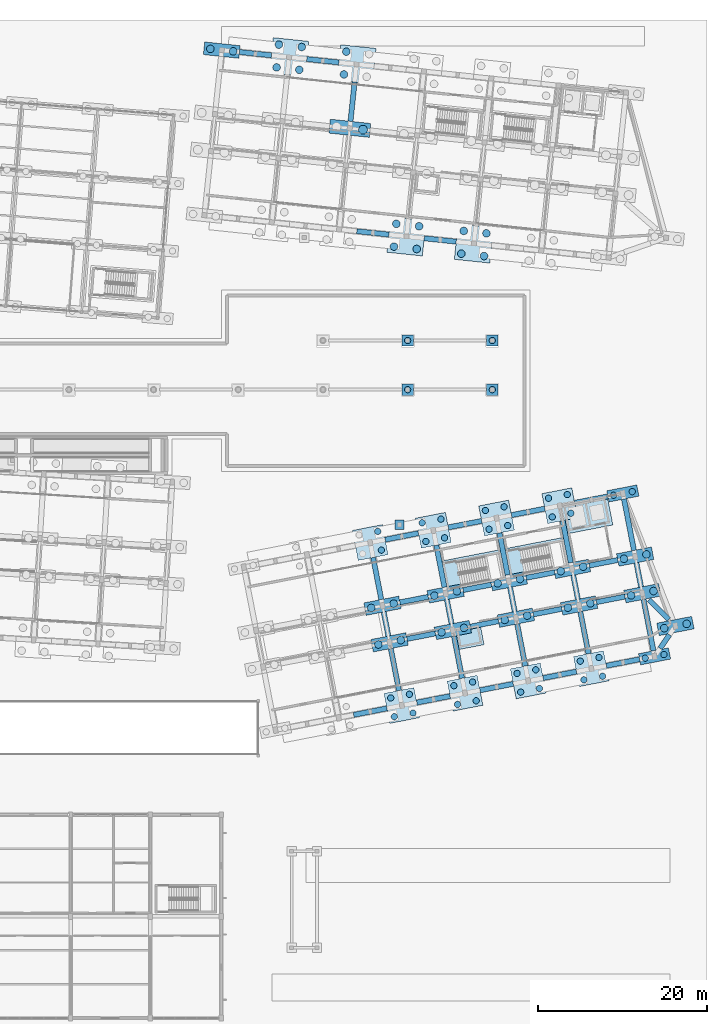
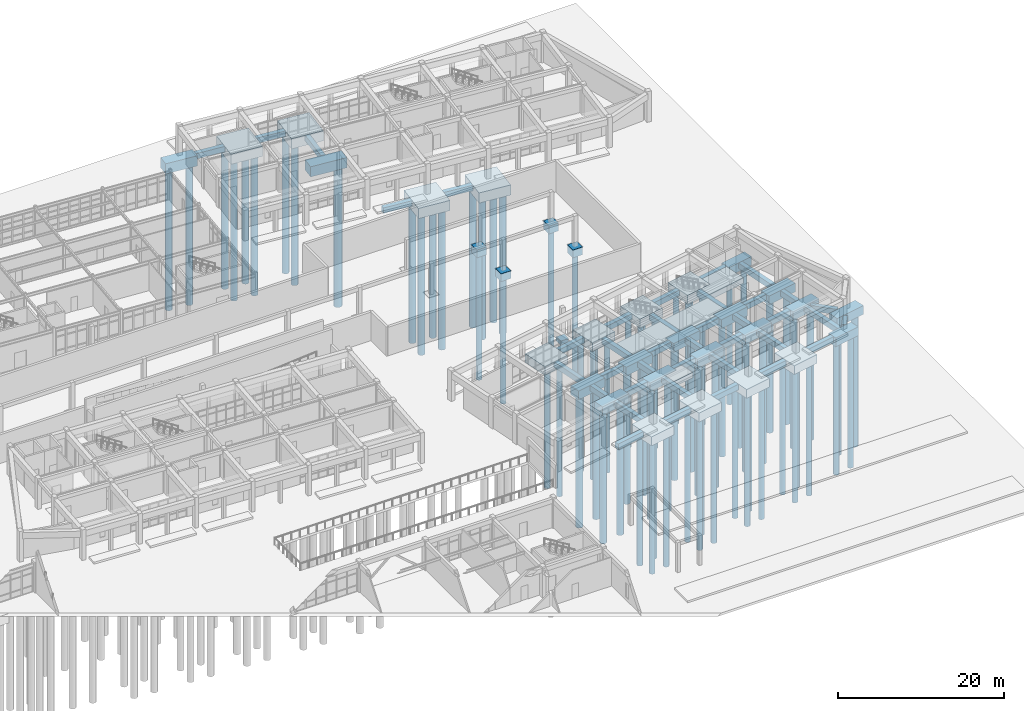
# One storey, part 5 of 154: 77 piles, 75 footings.
"""IFC4 building model written with IfcOpenShell, lengths in metres."""

from ifc_helpers import new_model, si_unit, direction, frame, origin, origin_2d, place, context, subcontext, project, spatial, rectangle, circle, extrude, material, material_profile, profile_set, type_object, element, save


model = new_model("IFC4")

# Units and contexts
model_context = context("Model", 3, precision=1e-05, world=origin(), true_north=direction((0.0, 1.0)))
body_context = subcontext(model_context, "Body", "Model", "MODEL_VIEW")
ifc_project = project(units=[si_unit("LENGTHUNIT", "METRE"), si_unit("AREAUNIT", "SQUARE_METRE"), si_unit("VOLUMEUNIT", "CUBIC_METRE"), si_unit("PLANEANGLEUNIT", "RADIAN"), si_unit("MASSUNIT", "GRAM", prefix="KILO")], contexts=[model_context])

# Site, building, storey
site_placement = place(None, origin())
site = spatial("IfcSite", under=ifc_project, at=site_placement, CompositionType="ELEMENT")
building_placement = place(site_placement, origin())
building = spatial("IfcBuilding", under=site, at=building_placement, Name="Kestramere Prow Commons", CompositionType="ELEMENT")
storey_placement = place(building_placement, origin())
storey = spatial("IfcBuildingStorey", under=building, at=storey_placement, Name="L00", CompositionType="ELEMENT", Elevation=0.0)

# Piles
ifc_material = material(Name="Concrete C35/45", Category="concrete")
ifc_material_profile_1 = material_profile(ifc_material, circle(Radius=0.52490234375, at=origin_2d()), Name="BORED PILE D1050")
ifc_profile_set_1 = profile_set([ifc_material_profile_1], Name="Concrete C35/45")
pile_type_1 = type_object("IfcPileType", Name="BP-1050 BORED PILE D1050", PredefinedType="BORED", material=ifc_profile_set_1)
pile_placement = place(storey_placement, frame((128.733154296875, 104.897216796875, -1.75), z_axis=(0.0, 0.0, -1.0), x_axis=(1.0, 0.0, 0.0)))
element("IfcPile", 1, at=pile_placement, inside=storey, type_object=pile_type_1, Name="Bored pile FC-B-2-2-P2", PredefinedType="BORED", context=body_context, shape_type="SweptSolid", body=[
    extrude(circle(Radius=0.52490234375, at=origin_2d()), origin(), (0.0, 0.0, 1.0), 20.60009765625),
])
ifc_material_profile_2 = material_profile(ifc_material, circle(Radius=0.375, at=origin_2d()), Name="BORED PILE D750")
ifc_profile_set_2 = profile_set([ifc_material_profile_2], Name="Concrete C35/45")
pile_type_2 = type_object("IfcPileType", Name="BP-750 BORED PILE D750", PredefinedType="BORED", material=ifc_profile_set_2)
for number, where, z_axis, x_axis, name in (
    (2, (132.43115234375, 35.581298828125, -1.550048828125), (0.0, 0.0, -1.0), (1.0, 0.0, 0.0), "Bored pile FC-D-2-0-P1"),
    (3, (134.6396484375, 36.0107421875, -1.550048828125), (0.0, 0.0, -1.0), (1.0, 0.0, 0.0), "Bored pile FC-D-2-0-P2"),
    (4, (132.001708984375, 37.7900390625, -1.550048828125), (0.0, 0.0, -1.0), (1.0, 0.0, 0.0), "Bored pile FC-D-2-0-P3"),
    (5, (134.21044921875, 38.21923828125, -1.550048828125), (0.0, 0.0, -1.0), (1.0, 0.0, 0.0), "Bored pile FC-D-2-0-P4"),
    (6, (130.89990234375, 55.25048828125, -1.550048828125), (0.0, 0.0, -1.0), (1.0, 0.0, 0.0), "Bored pile FC-D-2-3-P2"),
    (7, (130.470458984375, 57.459228515625, -1.550048828125), (0.0, 0.0, -1.0), (1.0, 0.0, 0.0), "Bored pile FC-D-2-3-P4"),
    (8, (139.891357421875, 37.031494140625, -1.550048828125), (0.0, 0.0, -1.0), (1.0, 0.0, 0.0), "Bored pile FC-D-3-0-P1"),
    (9, (142.10009765625, 37.460693359375, -1.550048828125), (0.0, 0.0, -1.0), (1.0, 0.0, 0.0), "Bored pile FC-D-3-0-P2"),
    (10, (139.462158203125, 39.240234375, -1.550048828125), (0.0, 0.0, -1.0), (1.0, 0.0, 0.0), "Bored pile FC-D-3-0-P3"),
    (11, (141.670654296875, 39.66943359375, -1.550048828125), (0.0, 0.0, -1.0), (1.0, 0.0, 0.0), "Bored pile FC-D-3-0-P4"),
    (12, (136.151611328125, 56.271240234375, -1.550048828125), (0.0, 0.0, -1.0), (1.0, 0.0, 0.0), "Bored pile FC-D-3-3-P1"),
    (13, (138.3603515625, 56.70068359375, -1.550048828125), (0.0, 0.0, -1.0), (1.0, 0.0, 0.0), "Bored pile FC-D-3-3-P2"),
    (14, (135.72216796875, 58.47998046875, -1.550048828125), (0.0, 0.0, -1.0), (1.0, 0.0, 0.0), "Bored pile FC-D-3-3-P3"),
    (15, (137.930908203125, 58.909423828125, -1.550048828125), (0.0, 0.0, -1.0), (1.0, 0.0, 0.0), "Bored pile FC-D-3-3-P4"),
    (16, (147.351806640625, 38.481689453125, -1.550048828125), (0.0, 0.0, -1.0), (1.0, 0.0, 0.0), "Bored pile FC-D-4-0-P1"),
    (17, (149.560546875, 38.910888671875, -1.550048828125), (0.0, 0.0, -1.0), (1.0, 0.0, 0.0), "Bored pile FC-D-4-0-P2"),
    (18, (146.92236328125, 40.690185546875, -1.550048828125), (0.0, 0.0, -1.0), (1.0, 0.0, 0.0), "Bored pile FC-D-4-0-P3"),
    (19, (149.131103515625, 41.11962890625, -1.550048828125), (0.0, 0.0, -1.0), (1.0, 0.0, 0.0), "Bored pile FC-D-4-0-P4"),
    (20, (143.612060546875, 57.721435546875, -1.550048828125), (0.0, 0.0, -1.0), (1.0, 0.0, 0.0), "Bored pile FC-D-4-3-P1"),
    (21, (145.820556640625, 58.15087890625, -1.550048828125), (0.0, 0.0, -1.0), (1.0, 0.0, 0.0), "Bored pile FC-D-4-3-P2"),
    (22, (143.1826171875, 59.93017578125, -1.550048828125), (0.0, 0.0, -1.0), (1.0, 0.0, 0.0), "Bored pile FC-D-4-3-P3"),
    (23, (145.391357421875, 60.359375, -1.550048828125), (0.0, 0.0, -1.0), (1.0, 0.0, 0.0), "Bored pile FC-D-4-3-P4"),
    (24, (154.812255859375, 39.931640625, -1.550048828125), (0.0, 0.0, -1.0), (1.0, 0.0, 0.0), "Bored pile FC-D-5-0-P1"),
    (25, (157.020751953125, 40.361083984375, -1.550048828125), (0.0, 0.0, -1.0), (1.0, 0.0, 0.0), "Bored pile FC-D-5-0-P2"),
    (26, (154.3828125, 42.140380859375, -1.550048828125), (0.0, 0.0, -1.0), (1.0, 0.0, 0.0), "Bored pile FC-D-5-0-P3"),
    (27, (156.591552734375, 42.56982421875, -1.550048828125), (0.0, 0.0, -1.0), (1.0, 0.0, 0.0), "Bored pile FC-D-5-0-P4"),
    (28, (151.072265625, 59.171630859375, -1.550048828125), (0.0, 0.0, -1.0), (1.0, 0.0, 0.0), "Bored pile FC-D-5-3-P1"),
    (29, (153.281005859375, 59.60107421875, -1.550048828125), (0.0, 0.0, -1.0), (1.0, 0.0, 0.0), "Bored pile FC-D-5-3-P2"),
    (30, (150.64306640625, 61.38037109375, -1.550048828125), (0.0, 0.0, -1.0), (1.0, 0.0, 0.0), "Bored pile FC-D-5-3-P3"),
    (31, (152.8515625, 61.8095703125, -1.550048828125), (0.0, 0.0, -1.0), (1.0, 0.0, 0.0), "Bored pile FC-D-5-3-P4"),
    (32, (162.057861328125, 42.486328125, -1.550048828125), (0.0, 0.0, -1.0), (1.0, 0.0, 0.0), "Bored pile FC-D-6-0-P1"),
    (33, (164.2666015625, 42.91552734375, -1.550048828125), (0.0, 0.0, -1.0), (1.0, 0.0, 0.0), "Bored pile FC-D-6-0-P2"),
    (34, (158.318115234375, 61.72607421875, -1.550048828125), (0.0, 0.0, -1.0), (1.0, 0.0, 0.0), "Bored pile FC-D-6-3-P1"),
    (35, (160.526611328125, 62.155517578125, -1.550048828125), (0.0, 0.0, -1.0), (1.0, 0.0, 0.0), "Bored pile FC-D-6-3-P2"),
):
    element("IfcPile", number, at=place(storey_placement, frame(where, z_axis=z_axis, x_axis=x_axis)), inside=storey, type_object=pile_type_2, Name=name, PredefinedType="BORED", context=body_context, shape_type="SweptSolid", body=[
        extrude(circle(Radius=0.375, at=origin_2d()), origin(), (0.0, 0.0, 1.0), 19.39990234375),
    ])
for number, where, z_axis, x_axis, name in (
    (36, (134.0, 74.199951171875, -1.39990234375), (0.0, 0.0, -1.0), (1.0, 0.0, 0.0), "Bored pile FC-CRT-134-74-P1"),
    (37, (144.0, 74.199951171875, -1.39990234375), (0.0, 0.0, -1.0), (1.0, 0.0, 0.0), "Bored pile FC-CRT-144-74-P1"),
    (38, (134.0, 80.0, -1.39990234375), (0.0, 0.0, -1.0), (1.0, 0.0, 0.0), "Bored pile FC-CRT-134-80-P1"),
    (39, (144.0, 80.0, -1.39990234375), (0.0, 0.0, -1.0), (1.0, 0.0, 0.0), "Bored pile FC-CRT-144-80-P1"),
):
    element("IfcPile", number, at=place(storey_placement, frame(where, z_axis=z_axis, x_axis=x_axis)), inside=storey, type_object=pile_type_2, Name=name, PredefinedType="BORED", context=body_context, shape_type="SweptSolid", body=[
        extrude(circle(Radius=0.375, at=origin_2d()), origin(), (0.0, 0.0, 1.0), 18.5),
    ])
ifc_material_profile_3 = material_profile(ifc_material, circle(Radius=0.449951171875, at=origin_2d()), Name="BORED PILE D900")
ifc_profile_set_3 = profile_set([ifc_material_profile_3], Name="Concrete C35/45")
pile_type_3 = type_object("IfcPileType", Name="BP-900 BORED PILE D900", PredefinedType="BORED", material=ifc_profile_set_3)
for number, where, z_axis, x_axis, name in (
    (40, (110.7060546875, 114.433837890625, -1.75), (0.0, 0.0, -1.0), (1.0, 0.0, 0.0), "Bored pile FC-B-0-3-P1"),
    (41, (113.391357421875, 114.151611328125, -1.75), (0.0, 0.0, -1.0), (1.0, 0.0, 0.0), "Bored pile FC-B-0-3-P2"),
    (42, (118.521240234375, 112.2548828125, -1.75), (0.0, 0.0, -1.0), (1.0, 0.0, 0.0), "Bored pile FC-B-1-3-P1"),
    (43, (121.20654296875, 111.97265625, -1.75), (0.0, 0.0, -1.0), (1.0, 0.0, 0.0), "Bored pile FC-B-1-3-P2"),
    (44, (118.803466796875, 114.940185546875, -1.75), (0.0, 0.0, -1.0), (1.0, 0.0, 0.0), "Bored pile FC-B-1-3-P3"),
    (45, (121.48876953125, 114.657958984375, -1.75), (0.0, 0.0, -1.0), (1.0, 0.0, 0.0), "Bored pile FC-B-1-3-P4"),
    (46, (126.477294921875, 111.418701171875, -1.75), (0.0, 0.0, -1.0), (1.0, 0.0, 0.0), "Bored pile FC-B-2-3-P1"),
    (47, (126.759521484375, 114.10400390625, -1.75), (0.0, 0.0, -1.0), (1.0, 0.0, 0.0), "Bored pile FC-B-2-3-P3"),
    (48, (132.384765625, 91.08984375, -1.75), (0.0, 0.0, -1.0), (1.0, 0.0, 0.0), "Bored pile FC-B-3-0-P1"),
    (49, (135.070068359375, 90.8076171875, -1.75), (0.0, 0.0, -1.0), (1.0, 0.0, 0.0), "Bored pile FC-B-3-0-P2"),
    (50, (132.6669921875, 93.775146484375, -1.75), (0.0, 0.0, -1.0), (1.0, 0.0, 0.0), "Bored pile FC-B-3-0-P3"),
    (51, (135.352294921875, 93.492919921875, -1.75), (0.0, 0.0, -1.0), (1.0, 0.0, 0.0), "Bored pile FC-B-3-0-P4"),
    (52, (140.341064453125, 90.253662109375, -1.75), (0.0, 0.0, -1.0), (1.0, 0.0, 0.0), "Bored pile FC-B-4-0-P1"),
    (53, (143.026123046875, 89.971435546875, -1.75), (0.0, 0.0, -1.0), (1.0, 0.0, 0.0), "Bored pile FC-B-4-0-P2"),
    (54, (140.623291015625, 92.938720703125, -1.75), (0.0, 0.0, -1.0), (1.0, 0.0, 0.0), "Bored pile FC-B-4-0-P3"),
    (55, (143.308349609375, 92.656494140625, -1.75), (0.0, 0.0, -1.0), (1.0, 0.0, 0.0), "Bored pile FC-B-4-0-P4"),
):
    element("IfcPile", number, at=place(storey_placement, frame(where, z_axis=z_axis, x_axis=x_axis)), inside=storey, type_object=pile_type_3, Name=name, PredefinedType="BORED", context=body_context, shape_type="SweptSolid", body=[
        extrude(circle(Radius=0.449951171875, at=origin_2d()), origin(), (0.0, 0.0, 1.0), 20.60009765625),
    ])
for number, where, z_axis, x_axis, name in (
    (56, (130.54541015625, 44.10302734375, -1.550048828125), (0.0, 0.0, -1.0), (1.0, 0.0, 0.0), "Bored pile FC-D-2-1-P1"),
    (57, (133.19580078125, 44.6181640625, -1.550048828125), (0.0, 0.0, -1.0), (1.0, 0.0, 0.0), "Bored pile FC-D-2-1-P2"),
    (58, (129.705810546875, 48.422119140625, -1.550048828125), (0.0, 0.0, -1.0), (1.0, 0.0, 0.0), "Bored pile FC-D-2-2-P1"),
    (59, (132.356201171875, 48.9375, -1.550048828125), (0.0, 0.0, -1.0), (1.0, 0.0, 0.0), "Bored pile FC-D-2-2-P2"),
    (60, (138.005859375, 45.55322265625, -1.550048828125), (0.0, 0.0, -1.0), (1.0, 0.0, 0.0), "Bored pile FC-D-3-1-P1"),
    (61, (140.65625, 46.068359375, -1.550048828125), (0.0, 0.0, -1.0), (1.0, 0.0, 0.0), "Bored pile FC-D-3-1-P2"),
    (62, (137.166259765625, 49.872314453125, -1.550048828125), (0.0, 0.0, -1.0), (1.0, 0.0, 0.0), "Bored pile FC-D-3-2-P1"),
    (63, (139.816650390625, 50.387451171875, -1.550048828125), (0.0, 0.0, -1.0), (1.0, 0.0, 0.0), "Bored pile FC-D-3-2-P2"),
    (64, (145.466064453125, 47.00341796875, -1.550048828125), (0.0, 0.0, -1.0), (1.0, 0.0, 0.0), "Bored pile FC-D-4-1-P1"),
    (65, (148.116455078125, 47.5185546875, -1.550048828125), (0.0, 0.0, -1.0), (1.0, 0.0, 0.0), "Bored pile FC-D-4-1-P2"),
    (66, (144.62646484375, 51.322509765625, -1.550048828125), (0.0, 0.0, -1.0), (1.0, 0.0, 0.0), "Bored pile FC-D-4-2-P1"),
    (67, (147.27685546875, 51.837646484375, -1.550048828125), (0.0, 0.0, -1.0), (1.0, 0.0, 0.0), "Bored pile FC-D-4-2-P2"),
    (68, (152.926513671875, 48.45361328125, -1.550048828125), (0.0, 0.0, -1.0), (1.0, 0.0, 0.0), "Bored pile FC-D-5-1-P1"),
    (69, (155.576904296875, 48.96875, -1.550048828125), (0.0, 0.0, -1.0), (1.0, 0.0, 0.0), "Bored pile FC-D-5-1-P2"),
    (70, (152.0869140625, 52.772705078125, -1.550048828125), (0.0, 0.0, -1.0), (1.0, 0.0, 0.0), "Bored pile FC-D-5-2-P1"),
    (71, (154.7373046875, 53.287841796875, -1.550048828125), (0.0, 0.0, -1.0), (1.0, 0.0, 0.0), "Bored pile FC-D-5-2-P2"),
    (72, (160.386962890625, 49.903564453125, -1.550048828125), (0.0, 0.0, -1.0), (1.0, 0.0, 0.0), "Bored pile FC-D-6-1-P1"),
    (73, (163.037353515625, 50.4189453125, -1.550048828125), (0.0, 0.0, -1.0), (1.0, 0.0, 0.0), "Bored pile FC-D-6-1-P2"),
    (74, (159.54736328125, 54.222900390625, -1.550048828125), (0.0, 0.0, -1.0), (1.0, 0.0, 0.0), "Bored pile FC-D-6-2-P1"),
    (75, (162.19775390625, 54.738037109375, -1.550048828125), (0.0, 0.0, -1.0), (1.0, 0.0, 0.0), "Bored pile FC-D-6-2-P2"),
    (76, (164.298095703125, 46.02880859375, -1.550048828125), (0.0, 0.0, -1.0), (1.0, 0.0, 0.0), "Bored pile FC-D-PROW-P1"),
    (77, (166.948486328125, 46.5439453125, -1.550048828125), (0.0, 0.0, -1.0), (1.0, 0.0, 0.0), "Bored pile FC-D-PROW-P2"),
):
    element("IfcPile", number, at=place(storey_placement, frame(where, z_axis=z_axis, x_axis=x_axis)), inside=storey, type_object=pile_type_3, Name=name, PredefinedType="BORED", context=body_context, shape_type="SweptSolid", body=[
        extrude(circle(Radius=0.449951171875, at=origin_2d()), origin(), (0.0, 0.0, 1.0), 19.39990234375),
    ])

# Footings
footing_type_1 = type_object("IfcFootingType", Name="FT-BRIDGE-PAD", PredefinedType="PAD_FOOTING", material=ifc_material)
footing_1_placement = place(storey_placement, frame((133.0439453125, 58.239501953125, -1.0), z_axis=(0.0, 0.0, 1.0), x_axis=(1.0, 0.0, 0.0)))
element("IfcFooting", 78, at=footing_1_placement, inside=storey, type_object=footing_type_1, Name="Courtyard Bridge Pad Footing D", PredefinedType="PAD_FOOTING", context=body_context, shape_type="SweptSolid", body=[
    extrude(rectangle(XDim=1.10009765625, YDim=1.10009765625, at=origin_2d()), origin(), (0.0, 0.0, 1.0), 0.64990234375),
])
footing_type_2 = type_object("IfcFootingType", Name="FT-CORE-STRIP", PredefinedType="STRIP_FOOTING", material=ifc_material)
footing_2_placement = place(storey_placement, frame((155.143310546875, 59.45361328125, -1.14990234375), z_axis=(0.0, 0.0, 1.0), x_axis=(0.981627183448, 0.190808995377, 0.0)))
element("IfcFooting", 79, at=footing_2_placement, inside=storey, type_object=footing_type_2, Name="Block D Lift Core Mat Footing", PredefinedType="STRIP_FOOTING", context=body_context, shape_type="SweptSolid", body=[
    extrude(rectangle(XDim=5.60009765625, YDim=3.60009765625, at=origin_2d()), origin(), (0.0, 0.0, 1.0), 0.800048828125),
])
for number, where, z_axis, x_axis, name in (
    (80, (141.8447265625, 52.793701171875, -1.14990234375), (0.0, 0.0, 1.0), (0.981627183448, 0.190808995377, 0.0), "ST-D1 Stair Core Raft Footing"),
    (81, (149.30517578125, 54.243896484375, -1.14990234375), (0.0, 0.0, 1.0), (0.981627183448, 0.190808995377, 0.0), "ST-D2 Stair Core Raft Footing"),
):
    element("IfcFooting", number, at=place(storey_placement, frame(where, z_axis=z_axis, x_axis=x_axis)), inside=storey, type_object=footing_type_2, Name=name, PredefinedType="STRIP_FOOTING", context=body_context, shape_type="SweptSolid", body=[
        extrude(rectangle(XDim=7.39990234375, YDim=3.75, at=origin_2d()), origin(), (0.0, 0.0, 1.0), 0.800048828125),
    ])
footing_3_placement = place(storey_placement, frame((141.2587890625, 45.06494140625, -1.14990234375), z_axis=(0.0, 0.0, 1.0), x_axis=(0.981627183448, 0.190808995377, 0.0)))
element("IfcFooting", 82, at=footing_3_placement, inside=storey, type_object=footing_type_2, Name="Block D Household Shelter Footing", PredefinedType="STRIP_FOOTING", context=body_context, shape_type="SweptSolid", body=[
    extrude(rectangle(XDim=3.10009765625, YDim=2.60009765625, at=origin_2d()), origin(), (0.0, 0.0, 1.0), 0.800048828125),
])
footing_type_3 = type_object("IfcFootingType", Name="GB-03 600x800 L4000", PredefinedType="FOOTING_BEAM", material=ifc_material)
for number, where, z_axis, x_axis, name in (
    (83, (129.590576171875, 36.17529296875, -1.14990234375), (0.0, 0.0, 1.0), (0.981627183448, 0.190808995377, 0.0), "Foundation ground beam GBU-D-1-0"),
    (84, (137.051025390625, 37.62548828125, -1.14990234375), (0.0, 0.0, 1.0), (0.981627183448, 0.190808995377, 0.0), "Foundation ground beam GBU-D-2-0"),
    (85, (133.31103515625, 56.865234375, -1.14990234375), (0.0, 0.0, 1.0), (0.981627183448, 0.190808995377, 0.0), "Foundation ground beam GBU-D-2-3"),
    (86, (144.51123046875, 39.075439453125, -1.14990234375), (0.0, 0.0, 1.0), (0.981627183448, 0.190808995377, 0.0), "Foundation ground beam GBU-D-3-0"),
    (87, (140.771484375, 58.3154296875, -1.14990234375), (0.0, 0.0, 1.0), (0.981627183448, 0.190808995377, 0.0), "Foundation ground beam GBU-D-3-3"),
    (88, (151.9716796875, 40.525634765625, -1.14990234375), (0.0, 0.0, 1.0), (0.981627183448, 0.190808995377, 0.0), "Foundation ground beam GBU-D-4-0"),
    (89, (148.231689453125, 59.765625, -1.14990234375), (0.0, 0.0, 1.0), (0.981627183448, 0.190808995377, 0.0), "Foundation ground beam GBU-D-4-3"),
    (90, (159.43212890625, 41.975830078125, -1.14990234375), (0.0, 0.0, 1.0), (0.981627183448, 0.190808995377, 0.0), "Foundation ground beam GBU-D-5-0"),
    (91, (155.692138671875, 61.2158203125, -1.14990234375), (0.0, 0.0, 1.0), (0.981627183448, 0.190808995377, 0.0), "Foundation ground beam GBU-D-5-3"),
):
    element("IfcFooting", number, at=place(storey_placement, frame(where, z_axis=z_axis, x_axis=x_axis)), inside=storey, type_object=footing_type_3, Name=name, PredefinedType="FOOTING_BEAM", context=body_context, shape_type="SweptSolid", body=[
        extrude(rectangle(XDim=4.0, YDim=0.60009765625, at=origin_2d()), origin(), (0.0, 0.0, 1.0), 0.800048828125),
    ])
footing_type_4 = type_object("IfcFootingType", Name="GB-04 600x800 L3400", PredefinedType="FOOTING_BEAM", material=ifc_material)
for number, where, z_axis, x_axis, name in (
    (92, (135.600830078125, 45.085693359375, -1.14990234375), (0.0, 0.0, 1.0), (0.981627183448, 0.190808995377, 0.0), "Foundation ground beam GBU-D-2-1"),
    (93, (134.76123046875, 49.40478515625, -1.14990234375), (0.0, 0.0, 1.0), (0.981627183448, 0.190808995377, 0.0), "Foundation ground beam GBU-D-2-2"),
    (94, (143.06103515625, 46.535888671875, -1.14990234375), (0.0, 0.0, 1.0), (0.981627183448, 0.190808995377, 0.0), "Foundation ground beam GBU-D-3-1"),
    (95, (142.2216796875, 50.85498046875, -1.14990234375), (0.0, 0.0, 1.0), (0.981627183448, 0.190808995377, 0.0), "Foundation ground beam GBU-D-3-2"),
    (96, (150.521484375, 47.986083984375, -1.14990234375), (0.0, 0.0, 1.0), (0.981627183448, 0.190808995377, 0.0), "Foundation ground beam GBU-D-4-1"),
    (97, (149.681884765625, 52.30517578125, -1.14990234375), (0.0, 0.0, 1.0), (0.981627183448, 0.190808995377, 0.0), "Foundation ground beam GBU-D-4-2"),
    (98, (157.98193359375, 49.436279296875, -1.14990234375), (0.0, 0.0, 1.0), (0.981627183448, 0.190808995377, 0.0), "Foundation ground beam GBU-D-5-1"),
    (99, (157.142333984375, 53.75537109375, -1.14990234375), (0.0, 0.0, 1.0), (0.981627183448, 0.190808995377, 0.0), "Foundation ground beam GBU-D-5-2"),
):
    element("IfcFooting", number, at=place(storey_placement, frame(where, z_axis=z_axis, x_axis=x_axis)), inside=storey, type_object=footing_type_4, Name=name, PredefinedType="FOOTING_BEAM", context=body_context, shape_type="SweptSolid", body=[
        extrude(rectangle(XDim=3.39990234375, YDim=0.60009765625, at=origin_2d()), origin(), (0.0, 0.0, 1.0), 0.800048828125),
    ])
footing_type_5 = type_object("IfcFootingType", Name="GB-10 600x800 L3800", PredefinedType="FOOTING_BEAM", material=ifc_material)
for number, where, z_axis, x_axis, name in (
    (100, (116.02685546875, 113.87451171875, -1.14990234375), (0.0, 0.0, 1.0), (0.994521895368, -0.104528463268, 0.0), "Foundation ground beam GBU-B-0-3"),
    (101, (123.98291015625, 113.038330078125, -1.14990234375), (0.0, 0.0, 1.0), (0.994521895368, -0.104528463268, 0.0), "Foundation ground beam GBU-B-1-3"),
    (102, (129.890380859375, 92.70947265625, -1.14990234375), (0.0, 0.0, 1.0), (0.994521895368, -0.104528463268, 0.0), "Foundation ground beam GBU-B-2-0"),
    (103, (137.8466796875, 91.873291015625, -1.14990234375), (0.0, 0.0, 1.0), (0.994521895368, -0.104528463268, 0.0), "Foundation ground beam GBU-B-3-0"),
):
    element("IfcFooting", number, at=place(storey_placement, frame(where, z_axis=z_axis, x_axis=x_axis)), inside=storey, type_object=footing_type_5, Name=name, PredefinedType="FOOTING_BEAM", context=body_context, shape_type="SweptSolid", body=[
        extrude(rectangle(XDim=3.800048828125, YDim=0.60009765625, at=origin_2d()), origin(), (0.0, 0.0, 1.0), 0.800048828125),
    ])
footing_type_6 = type_object("IfcFootingType", Name="GB-14 600x800 L4670", PredefinedType="FOOTING_BEAM", material=ifc_material)
footing_4_placement = place(storey_placement, frame((127.497314453125, 108.20703125, -1.14990234375), z_axis=(0.0, 0.0, 1.0), x_axis=(0.104528463268, 0.994521895368, 0.0)))
element("IfcFooting", 104, at=footing_4_placement, inside=storey, type_object=footing_type_6, Name="Foundation ground beam GBV-B-2-2", PredefinedType="FOOTING_BEAM", context=body_context, shape_type="SweptSolid", body=[
    extrude(rectangle(XDim=4.675048828125, YDim=0.60009765625, at=origin_2d()), origin(), (0.0, 0.0, 1.0), 0.800048828125),
])
footing_type_7 = type_object("IfcFootingType", Name="GB-18 600x800 L2900", PredefinedType="FOOTING_BEAM", material=ifc_material)
for number, where, z_axis, x_axis, name in (
    (105, (131.45068359375, 46.520263671875, -1.14990234375), (0.0, 0.0, 1.0), (-0.190808995377, 0.981627183448, 0.0), "Foundation ground beam GBV-D-2-1"),
    (106, (138.9111328125, 47.970458984375, -1.14990234375), (0.0, 0.0, 1.0), (-0.190808995377, 0.981627183448, 0.0), "Foundation ground beam GBV-D-3-1"),
    (107, (146.37158203125, 49.420654296875, -1.14990234375), (0.0, 0.0, 1.0), (-0.190808995377, 0.981627183448, 0.0), "Foundation ground beam GBV-D-4-1"),
    (108, (153.831787109375, 50.87060546875, -1.14990234375), (0.0, 0.0, 1.0), (-0.190808995377, 0.981627183448, 0.0), "Foundation ground beam GBV-D-5-1"),
    (109, (161.292236328125, 52.32080078125, -1.14990234375), (0.0, 0.0, 1.0), (-0.190808995377, 0.981627183448, 0.0), "Foundation ground beam GBV-D-6-1"),
):
    element("IfcFooting", number, at=place(storey_placement, frame(where, z_axis=z_axis, x_axis=x_axis)), inside=storey, type_object=footing_type_7, Name=name, PredefinedType="FOOTING_BEAM", context=body_context, shape_type="SweptSolid", body=[
        extrude(rectangle(XDim=2.89990234375, YDim=0.60009765625, at=origin_2d()), origin(), (0.0, 0.0, 1.0), 0.800048828125),
    ])
footing_type_8 = type_object("IfcFootingType", Name="GB-20 600x800 L1960", PredefinedType="FOOTING_BEAM", material=ifc_material)
footing_5_placement = place(storey_placement, frame((164.362548828125, 44.449462890625, -1.14990234375), z_axis=(0.0, 0.0, 1.0), x_axis=(-0.565914212983, -0.824464131145, 0.0)))
element("IfcFooting", 110, at=footing_5_placement, inside=storey, type_object=footing_type_8, Name="Foundation ground beam GBP-D-0", PredefinedType="FOOTING_BEAM", context=body_context, shape_type="SweptSolid", body=[
    extrude(rectangle(XDim=1.95703125, YDim=0.60009765625, at=origin_2d()), origin(), (0.0, 0.0, 1.0), 0.800048828125),
])
footing_type_9 = type_object("IfcFootingType", Name="GB-21 600x800 L3330", PredefinedType="FOOTING_BEAM", material=ifc_material)
footing_6_placement = place(storey_placement, frame((163.667724609375, 48.223876953125, -1.14990234375), z_axis=(0.0, 0.0, 1.0), x_axis=(-0.710397914833, 0.703800257602, 0.0)))
element("IfcFooting", 111, at=footing_6_placement, inside=storey, type_object=footing_type_9, Name="Foundation ground beam GBP-D-1", PredefinedType="FOOTING_BEAM", context=body_context, shape_type="SweptSolid", body=[
    extrude(rectangle(XDim=3.33056640625, YDim=0.60009765625, at=origin_2d()), origin(), (0.0, 0.0, 1.0), 0.800048828125),
])
footing_type_10 = type_object("IfcFootingType", Name="GB-22 600x800 L6170", PredefinedType="FOOTING_BEAM", material=ifc_material)
for number, where, z_axis, x_axis, name in (
    (112, (162.4443359375, 46.394287109375, -1.14990234375), (0.0, 0.0, 1.0), (-0.190808995377, 0.981627183448, 0.0), "Foundation ground beam GBV-D-6-0"),
    (113, (160.140380859375, 58.247314453125, -1.14990234375), (0.0, 0.0, 1.0), (-0.190808995377, 0.981627183448, 0.0), "Foundation ground beam GBV-D-6-2"),
):
    element("IfcFooting", number, at=place(storey_placement, frame(where, z_axis=z_axis, x_axis=x_axis)), inside=storey, type_object=footing_type_10, Name=name, PredefinedType="FOOTING_BEAM", context=body_context, shape_type="SweptSolid", body=[
        extrude(rectangle(XDim=6.175048828125, YDim=0.60009765625, at=origin_2d()), origin(), (0.0, 0.0, 1.0), 0.800048828125),
    ])
footing_type_11 = type_object("IfcFootingType", Name="GB-23 600x800 L5050", PredefinedType="FOOTING_BEAM", material=ifc_material)
for number, where, z_axis, x_axis, name in (
    (114, (132.49560546875, 41.145751953125, -1.14990234375), (0.0, 0.0, 1.0), (-0.190808995377, 0.981627183448, 0.0), "Foundation ground beam GBV-D-2-0"),
    (115, (130.406005859375, 51.89453125, -1.14990234375), (0.0, 0.0, 1.0), (-0.190808995377, 0.981627183448, 0.0), "Foundation ground beam GBV-D-2-2"),
    (116, (139.955810546875, 42.595947265625, -1.14990234375), (0.0, 0.0, 1.0), (-0.190808995377, 0.981627183448, 0.0), "Foundation ground beam GBV-D-3-0"),
    (117, (137.866455078125, 53.3447265625, -1.14990234375), (0.0, 0.0, 1.0), (-0.190808995377, 0.981627183448, 0.0), "Foundation ground beam GBV-D-3-2"),
    (118, (147.416259765625, 44.046142578125, -1.14990234375), (0.0, 0.0, 1.0), (-0.190808995377, 0.981627183448, 0.0), "Foundation ground beam GBV-D-4-0"),
    (119, (145.326904296875, 54.794921875, -1.14990234375), (0.0, 0.0, 1.0), (-0.190808995377, 0.981627183448, 0.0), "Foundation ground beam GBV-D-4-2"),
    (120, (154.87646484375, 45.496337890625, -1.14990234375), (0.0, 0.0, 1.0), (-0.190808995377, 0.981627183448, 0.0), "Foundation ground beam GBV-D-5-0"),
    (121, (152.787109375, 56.2451171875, -1.14990234375), (0.0, 0.0, 1.0), (-0.190808995377, 0.981627183448, 0.0), "Foundation ground beam GBV-D-5-2"),
):
    element("IfcFooting", number, at=place(storey_placement, frame(where, z_axis=z_axis, x_axis=x_axis)), inside=storey, type_object=footing_type_11, Name=name, PredefinedType="FOOTING_BEAM", context=body_context, shape_type="SweptSolid", body=[
        extrude(rectangle(XDim=5.050048828125, YDim=0.60009765625, at=origin_2d()), origin(), (0.0, 0.0, 1.0), 0.800048828125),
    ])
footing_type_12 = type_object("IfcFootingType", Name="PC-04 4200x1500x1500", PredefinedType="PILE_CAP", material=ifc_material)
footing_7_placement = place(storey_placement, frame((112.048828125, 114.292724609375, -1.85009765625), z_axis=(0.0, 0.0, 1.0), x_axis=(0.994521895368, -0.104528463268, 0.0)))
element("IfcFooting", 122, at=footing_7_placement, inside=storey, type_object=footing_type_12, Name="Pile cap FC-B-0-3", PredefinedType="PILE_CAP", context=body_context, shape_type="SweptSolid", body=[
    extrude(rectangle(XDim=4.199951171875, YDim=1.5, at=origin_2d()), origin(), (0.0, 0.0, 1.0), 1.5),
])
footing_type_13 = type_object("IfcFootingType", Name="PC-05 4800x1650x1500", PredefinedType="PILE_CAP", material=ifc_material)
footing_8_placement = place(storey_placement, frame((127.166748046875, 105.061767578125, -1.85009765625), z_axis=(0.0, 0.0, 1.0), x_axis=(0.994521895368, -0.104528463268, 0.0)))
element("IfcFooting", 123, at=footing_8_placement, inside=storey, type_object=footing_type_13, Name="Pile cap FC-B-2-2", PredefinedType="PILE_CAP", context=body_context, shape_type="SweptSolid", body=[
    extrude(rectangle(XDim=4.800048828125, YDim=1.64990234375, at=origin_2d()), origin(), (0.0, 0.0, 1.0), 1.5),
])
footing_type_14 = type_object("IfcFootingType", Name="PC-06 4200x4200x1500", PredefinedType="PILE_CAP", material=ifc_material)
for number, where, z_axis, x_axis, name in (
    (124, (120.0048828125, 113.456298828125, -1.85009765625), (0.0, 0.0, 1.0), (0.994521895368, -0.104528463268, 0.0), "Pile cap FC-B-1-3"),
    (125, (127.961181640625, 112.6201171875, -1.85009765625), (0.0, 0.0, 1.0), (0.994521895368, -0.104528463268, 0.0), "Pile cap FC-B-2-3"),
    (126, (133.868408203125, 92.291259765625, -1.85009765625), (0.0, 0.0, 1.0), (0.994521895368, -0.104528463268, 0.0), "Pile cap FC-B-3-0"),
    (127, (141.82470703125, 91.455078125, -1.85009765625), (0.0, 0.0, 1.0), (0.994521895368, -0.104528463268, 0.0), "Pile cap FC-B-4-0"),
):
    element("IfcFooting", number, at=place(storey_placement, frame(where, z_axis=z_axis, x_axis=x_axis)), inside=storey, type_object=footing_type_14, Name=name, PredefinedType="PILE_CAP", context=body_context, shape_type="SweptSolid", body=[
        extrude(rectangle(XDim=4.199951171875, YDim=4.199951171875, at=origin_2d()), origin(), (0.0, 0.0, 1.0), 1.5),
    ])
footing_type_15 = type_object("IfcFootingType", Name="PC-09 3600x1350x1300", PredefinedType="PILE_CAP", material=ifc_material)
for number, where, z_axis, x_axis, name in (
    (128, (163.162109375, 42.700927734375, -1.64990234375), (0.0, 0.0, 1.0), (0.981627183448, 0.190808995377, 0.0), "Pile cap FC-D-6-0"),
    (129, (159.42236328125, 61.940673828125, -1.64990234375), (0.0, 0.0, 1.0), (0.981627183448, 0.190808995377, 0.0), "Pile cap FC-D-6-3"),
):
    element("IfcFooting", number, at=place(storey_placement, frame(where, z_axis=z_axis, x_axis=x_axis)), inside=storey, type_object=footing_type_15, Name=name, PredefinedType="PILE_CAP", context=body_context, shape_type="SweptSolid", body=[
        extrude(rectangle(XDim=3.60009765625, YDim=1.35009765625, at=origin_2d()), origin(), (0.0, 0.0, 1.0), 1.300048828125),
    ])
footing_type_16 = type_object("IfcFootingType", Name="PC-10 4200x1500x1300", PredefinedType="PILE_CAP", material=ifc_material)
for number, where, z_axis, x_axis, name in (
    (130, (131.87060546875, 44.360595703125, -1.64990234375), (0.0, 0.0, 1.0), (0.981627183448, 0.190808995377, 0.0), "Pile cap FC-D-2-1"),
    (131, (131.031005859375, 48.679931640625, -1.64990234375), (0.0, 0.0, 1.0), (0.981627183448, 0.190808995377, 0.0), "Pile cap FC-D-2-2"),
    (132, (139.3310546875, 45.810791015625, -1.64990234375), (0.0, 0.0, 1.0), (0.981627183448, 0.190808995377, 0.0), "Pile cap FC-D-3-1"),
    (133, (138.491455078125, 50.1298828125, -1.64990234375), (0.0, 0.0, 1.0), (0.981627183448, 0.190808995377, 0.0), "Pile cap FC-D-3-2"),
    (134, (146.791259765625, 47.260986328125, -1.64990234375), (0.0, 0.0, 1.0), (0.981627183448, 0.190808995377, 0.0), "Pile cap FC-D-4-1"),
    (135, (145.95166015625, 51.580078125, -1.64990234375), (0.0, 0.0, 1.0), (0.981627183448, 0.190808995377, 0.0), "Pile cap FC-D-4-2"),
    (136, (154.251708984375, 48.711181640625, -1.64990234375), (0.0, 0.0, 1.0), (0.981627183448, 0.190808995377, 0.0), "Pile cap FC-D-5-1"),
    (137, (153.412109375, 53.0302734375, -1.64990234375), (0.0, 0.0, 1.0), (0.981627183448, 0.190808995377, 0.0), "Pile cap FC-D-5-2"),
    (138, (161.712158203125, 50.161376953125, -1.64990234375), (0.0, 0.0, 1.0), (0.981627183448, 0.190808995377, 0.0), "Pile cap FC-D-6-1"),
    (139, (160.87255859375, 54.48046875, -1.64990234375), (0.0, 0.0, 1.0), (0.981627183448, 0.190808995377, 0.0), "Pile cap FC-D-6-2"),
    (140, (165.623291015625, 46.286376953125, -1.64990234375), (0.0, 0.0, 1.0), (0.981627183448, 0.190808995377, 0.0), "Pile cap FC-D-PROW"),
):
    element("IfcFooting", number, at=place(storey_placement, frame(where, z_axis=z_axis, x_axis=x_axis)), inside=storey, type_object=footing_type_16, Name=name, PredefinedType="PILE_CAP", context=body_context, shape_type="SweptSolid", body=[
        extrude(rectangle(XDim=4.199951171875, YDim=1.5, at=origin_2d()), origin(), (0.0, 0.0, 1.0), 1.300048828125),
    ])
footing_type_17 = type_object("IfcFootingType", Name="PC-11 3600x3600x1300", PredefinedType="PILE_CAP", material=ifc_material)
for number, where, z_axis, x_axis, name in (
    (141, (133.32080078125, 36.900390625, -1.64990234375), (0.0, 0.0, 1.0), (0.981627183448, 0.190808995377, 0.0), "Pile cap FC-D-2-0"),
    (142, (129.580810546875, 56.14013671875, -1.64990234375), (0.0, 0.0, 1.0), (0.981627183448, 0.190808995377, 0.0), "Pile cap FC-D-2-3"),
    (143, (140.781005859375, 38.350341796875, -1.64990234375), (0.0, 0.0, 1.0), (0.981627183448, 0.190808995377, 0.0), "Pile cap FC-D-3-0"),
    (144, (137.041259765625, 57.59033203125, -1.64990234375), (0.0, 0.0, 1.0), (0.981627183448, 0.190808995377, 0.0), "Pile cap FC-D-3-3"),
    (145, (148.241455078125, 39.800537109375, -1.64990234375), (0.0, 0.0, 1.0), (0.981627183448, 0.190808995377, 0.0), "Pile cap FC-D-4-0"),
    (146, (144.501708984375, 59.04052734375, -1.64990234375), (0.0, 0.0, 1.0), (0.981627183448, 0.190808995377, 0.0), "Pile cap FC-D-4-3"),
    (147, (155.701904296875, 41.250732421875, -1.64990234375), (0.0, 0.0, 1.0), (0.981627183448, 0.190808995377, 0.0), "Pile cap FC-D-5-0"),
    (148, (151.9619140625, 60.49072265625, -1.64990234375), (0.0, 0.0, 1.0), (0.981627183448, 0.190808995377, 0.0), "Pile cap FC-D-5-3"),
):
    element("IfcFooting", number, at=place(storey_placement, frame(where, z_axis=z_axis, x_axis=x_axis)), inside=storey, type_object=footing_type_17, Name=name, PredefinedType="PILE_CAP", context=body_context, shape_type="SweptSolid", body=[
        extrude(rectangle(XDim=3.60009765625, YDim=3.60009765625, at=origin_2d()), origin(), (0.0, 0.0, 1.0), 1.300048828125),
    ])
footing_type_18 = type_object("IfcFootingType", Name="PC-17 1350x1350x1150", PredefinedType="PILE_CAP", material=ifc_material)
for number, where, z_axis, x_axis, name in (
    (149, (134.0, 74.199951171875, -1.5), (0.0, 0.0, 1.0), (1.0, 0.0, 0.0), "Pile cap FC-CRT-134-74"),
    (150, (144.0, 74.199951171875, -1.5), (0.0, 0.0, 1.0), (1.0, 0.0, 0.0), "Pile cap FC-CRT-144-74"),
    (151, (134.0, 80.0, -1.5), (0.0, 0.0, 1.0), (1.0, 0.0, 0.0), "Pile cap FC-CRT-134-80"),
    (152, (144.0, 80.0, -1.5), (0.0, 0.0, 1.0), (1.0, 0.0, 0.0), "Pile cap FC-CRT-144-80"),
):
    element("IfcFooting", number, at=place(storey_placement, frame(where, z_axis=z_axis, x_axis=x_axis)), inside=storey, type_object=footing_type_18, Name=name, PredefinedType="PILE_CAP", context=body_context, shape_type="SweptSolid", body=[
        extrude(rectangle(XDim=1.35009765625, YDim=1.35009765625, at=origin_2d()), origin(), (0.0, 0.0, 1.0), 1.14990234375),
    ])

save(model, "model.ifc")
